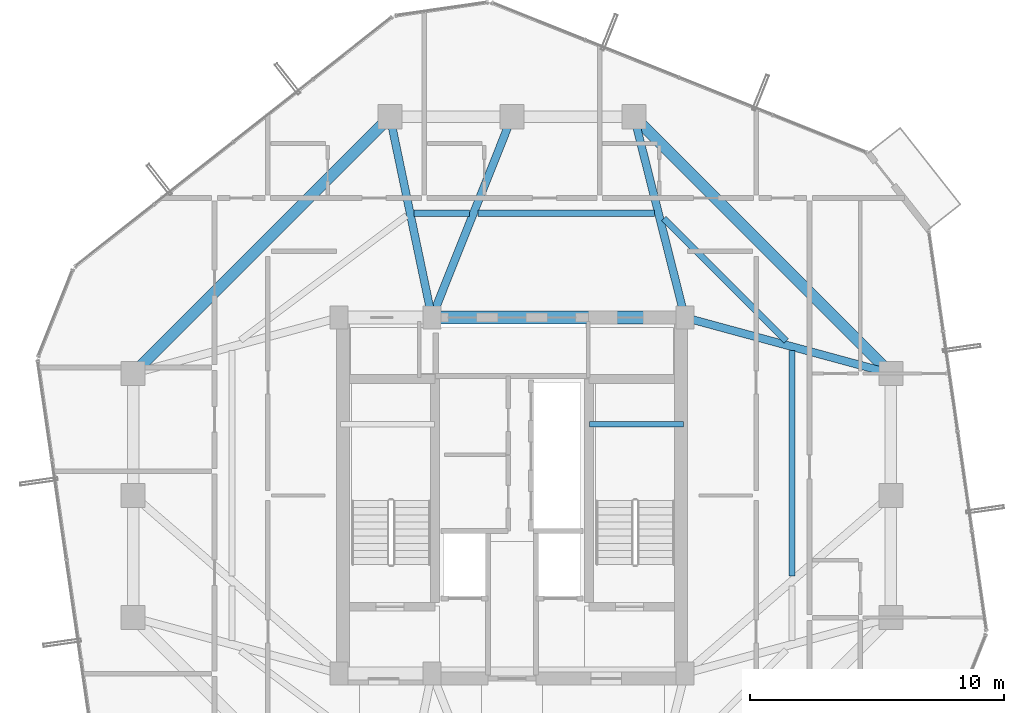
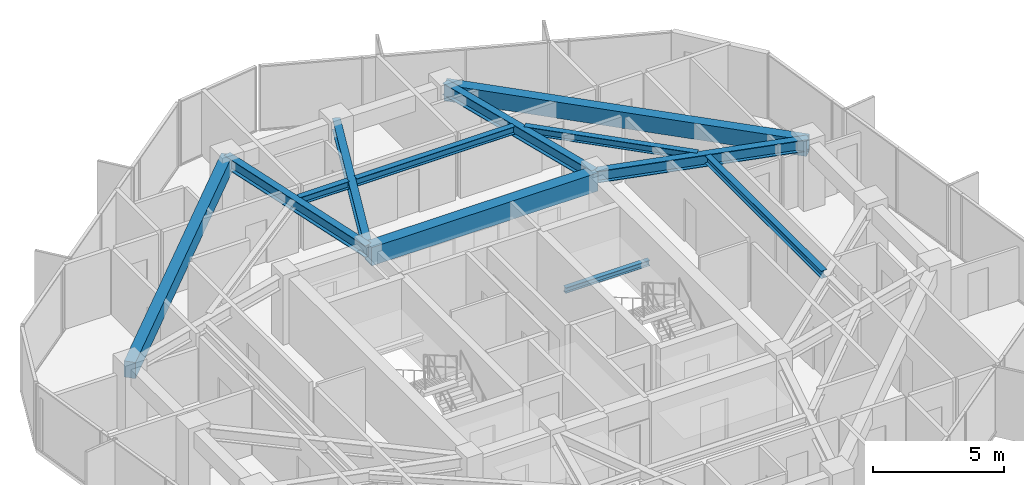
# One storey, part 15 of 31: 12 beams.
"""IFC4 building model written with IfcOpenShell, lengths in metres."""

from ifc_helpers import new_model, si_unit, direction, frame, origin, origin_2d, place, context, subcontext, project, spatial, rectangle, i_section, extrude, material, material_profile, profile_set, type_object, element, save


model = new_model("IFC4")

# Units and contexts
model_context = context("Model", 3, precision=1e-05, world=origin(), true_north=direction((0.0, 1.0)))
body_context = subcontext(model_context, "Body", "Model", "MODEL_VIEW")
ifc_project = project(units=[si_unit("LENGTHUNIT", "METRE"), si_unit("AREAUNIT", "SQUARE_METRE"), si_unit("VOLUMEUNIT", "CUBIC_METRE"), si_unit("PLANEANGLEUNIT", "RADIAN"), si_unit("MASSUNIT", "GRAM", prefix="KILO")], contexts=[model_context])

# Site, building, storey
site_placement = place(None, origin())
site = spatial("IfcSite", under=ifc_project, at=site_placement, CompositionType="ELEMENT")
building_placement = place(site_placement, origin())
building = spatial("IfcBuilding", under=site, at=building_placement, Name="Veraguas Prism Commons", CompositionType="ELEMENT")
storey_placement = place(building_placement, frame((0.0, 0.0, 178.85009765625)))
storey = spatial("IfcBuildingStorey", under=building, at=storey_placement, Name="L50", CompositionType="ELEMENT", Elevation=178.85009765625)

# Beams
ifc_material_1 = material(Name="Concrete C50/60", Category="concrete")
ifc_material_profile_1 = material_profile(ifc_material_1, rectangle(XDim=0.5, YDim=0.85009765625, at=origin_2d()), Name="RC500X850")
ifc_profile_set_1 = profile_set([ifc_material_profile_1], Name="Concrete C50/60")
beam_type_1 = type_object("IfcBeamType", Name="Core Coupling Beam RC 500x850", PredefinedType="BEAM", material=ifc_profile_set_1)
beam_1_placement = place(storey_placement, frame((20.85009765625, 31.0, 2.58984375), z_axis=(1.0, 0.0, 0.0), x_axis=(0.0, 1.0, 0.0)))
element("IfcBeam", 1, at=beam_1_placement, inside=storey, type_object=beam_type_1, Name="Core Coupling Beam L50-CRN2", PredefinedType="BEAM", context=body_context, shape_type="SweptSolid", body=[
    extrude(rectangle(XDim=0.5, YDim=0.85009765625, at=origin_2d()), origin(), (0.0, 0.0, 1.0), 9.949951171875),
])
ifc_material_profile_2 = material_profile(ifc_material_1, rectangle(XDim=0.449951171875, YDim=0.75, at=origin_2d()), Name="RC450X750")
ifc_profile_set_2 = profile_set([ifc_material_profile_2], Name="Concrete C50/60")
beam_type_2 = type_object("IfcBeamType", Name="Perimeter Spandrel Upper RC 450x750", PredefinedType="SPANDREL", material=ifc_profile_set_2)
for number, where, z_axis, x_axis, name in (
    (2, (38.89990234375, 28.800048828125, 2.639892578125), (-0.707106781187, 0.707106781187, 0.0), (-0.707106781187, -0.707106781187, 0.0), "Perimeter Spandrel Beam L50-SP03"),
    (3, (19.199951171875, 38.89990234375, 2.639892578125), (-0.707106781187, -0.707106781187, 0.0), (0.707106781187, -0.707106781187, 0.0), "Perimeter Spandrel Beam L50-SP06"),
):
    element("IfcBeam", number, at=place(storey_placement, frame(where, z_axis=z_axis, x_axis=x_axis)), inside=storey, type_object=beam_type_2, Name=name, PredefinedType="SPANDREL", context=body_context, shape_type="SweptSolid", body=[
        extrude(rectangle(XDim=0.449951171875, YDim=0.75, at=origin_2d()), origin(), (0.0, 0.0, 1.0), 14.283447265625),
    ])
ifc_material_2 = material(Name="Steel ASTM A992 Grade 50", Category="steel")
ifc_material_profile_3 = material_profile(ifc_material_2, i_section(OverallWidth=0.202880859375, OverallDepth=0.251953125, WebThickness=0.008056640625, FlangeThickness=0.013427734375, at=origin_2d()), Name="W250X58")
ifc_profile_set_3 = profile_set([ifc_material_profile_3], Name="Steel ASTM A992 Grade 50")
beam_type_3 = type_object("IfcBeamType", Name="Structural Opening Lintel W250x58", PredefinedType="LINTEL", material=ifc_profile_set_3)
beam_2_placement = place(storey_placement, frame((27.050048828125, 26.800048828125, 1.298828125), z_axis=(1.0, 0.0, 0.0), x_axis=(0.0, 1.0, 0.0)))
element("IfcBeam", 4, at=beam_2_placement, inside=storey, type_object=beam_type_3, Name="Stair ST-02 Half-Landing Support Beam L50-1", PredefinedType="LINTEL", context=body_context, shape_type="SweptSolid", body=[
    extrude(i_section(OverallWidth=0.202880859375, OverallDepth=0.251953125, WebThickness=0.008056640625, FlangeThickness=0.013427734375, at=origin_2d()), origin(), (0.0, 0.0, 1.0), 3.699951171875),
])
ifc_material_profile_4 = material_profile(ifc_material_2, i_section(OverallWidth=0.25390625, OverallDepth=0.35302734375, WebThickness=0.009521484375, FlangeThickness=0.016357421875, at=origin_2d()), Name="W360X91")
ifc_profile_set_4 = profile_set([ifc_material_profile_4], Name="Steel ASTM A992 Grade 50")
beam_type_4 = type_object("IfcBeamType", Name="Upper Floor Joist W360x91", PredefinedType="JOIST", material=ifc_profile_set_4)
beam_3_placement = place(storey_placement, frame((35.011962890625, 20.843017578125, 2.83837890625), z_axis=(0.0, 1.0, 0.0), x_axis=(-1.0, 0.0, 0.0)))
element("IfcBeam", 5, at=beam_3_placement, inside=storey, type_object=beam_type_4, Name="Composite Floor Joist L50-JS02", PredefinedType="JOIST", context=body_context, shape_type="SweptSolid", body=[
    extrude(i_section(OverallWidth=0.25390625, OverallDepth=0.35302734375, WebThickness=0.009521484375, FlangeThickness=0.016357421875, at=origin_2d()), origin(), (0.0, 0.0, 1.0), 8.85400390625),
])
beam_4_placement = place(storey_placement, frame((34.793701171875, 30.074462890625, 2.83837890625), z_axis=(-0.707124682851, 0.707088879069, 0.0), x_axis=(-0.707088879069, -0.707124682851, 0.0)))
element("IfcBeam", 6, at=beam_4_placement, inside=storey, type_object=beam_type_4, Name="Composite Floor Joist L50-JS03", PredefinedType="JOIST", context=body_context, shape_type="SweptSolid", body=[
    extrude(i_section(OverallWidth=0.25390625, OverallDepth=0.35302734375, WebThickness=0.009521484375, FlangeThickness=0.016357421875, at=origin_2d()), origin(), (0.0, 0.0, 1.0), 6.81884765625),
])
beam_5_placement = place(storey_placement, frame((29.601806640625, 35.10791015625, 2.83837890625), z_axis=(-1.0, 0.0, 0.0), x_axis=(0.0, -1.0, 0.0)))
element("IfcBeam", 7, at=beam_5_placement, inside=storey, type_object=beam_type_4, Name="Composite Floor Joist L50-JS04", PredefinedType="JOIST", context=body_context, shape_type="SweptSolid", body=[
    extrude(i_section(OverallWidth=0.25390625, OverallDepth=0.35302734375, WebThickness=0.009521484375, FlangeThickness=0.016357421875, at=origin_2d()), origin(), (0.0, 0.0, 1.0), 6.948486328125),
])
beam_6_placement = place(storey_placement, frame((22.32275390625, 35.10791015625, 2.83837890625), z_axis=(-1.0, 0.0, 0.0), x_axis=(0.0, -1.0, 0.0)))
element("IfcBeam", 8, at=beam_6_placement, inside=storey, type_object=beam_type_4, Name="Composite Floor Joist L50-JS05", PredefinedType="JOIST", context=body_context, shape_type="SweptSolid", body=[
    extrude(i_section(OverallWidth=0.25390625, OverallDepth=0.35302734375, WebThickness=0.009521484375, FlangeThickness=0.016357421875, at=origin_2d()), origin(), (0.0, 0.0, 1.0), 2.174072265625),
])
ifc_material_profile_5 = material_profile(ifc_material_2, i_section(OverallWidth=0.31103515625, OverallDepth=0.5458984375, WebThickness=0.0146484375, FlangeThickness=0.023681640625, at=origin_2d()), Name="W530X165")
ifc_profile_set_5 = profile_set([ifc_material_profile_5], Name="Steel ASTM A992 Grade 50")
beam_type_5 = type_object("IfcBeamType", Name="Zone 3 Radial Girder W530x165", PredefinedType="BEAM", material=ifc_profile_set_5)
beam_7_placement = place(storey_placement, frame((38.89990234375, 28.800048828125, 2.741943359375), z_axis=(-0.965038506703, 0.262108146725, 0.0), x_axis=(-0.262108146725, -0.965038506703, 0.0)))
element("IfcBeam", 9, at=beam_7_placement, inside=storey, type_object=beam_type_5, Name="Radial Floor Girder L50-RD03", PredefinedType="BEAM", context=body_context, shape_type="SweptSolid", body=[
    extrude(i_section(OverallWidth=0.31103515625, OverallDepth=0.5458984375, WebThickness=0.0146484375, FlangeThickness=0.023681640625, at=origin_2d()), origin(), (0.0, 0.0, 1.0), 8.393310546875),
])
beam_8_placement = place(storey_placement, frame((28.800048828125, 38.89990234375, 2.741943359375), z_axis=(0.245424718066, -0.969415652732, 0.0), x_axis=(0.969415652732, 0.245424718066, 0.0)))
element("IfcBeam", 10, at=beam_8_placement, inside=storey, type_object=beam_type_5, Name="Radial Floor Girder L50-RD04", PredefinedType="BEAM", context=body_context, shape_type="SweptSolid", body=[
    extrude(i_section(OverallWidth=0.31103515625, OverallDepth=0.5458984375, WebThickness=0.0146484375, FlangeThickness=0.023681640625, at=origin_2d()), origin(), (0.0, 0.0, 1.0), 8.149169921875),
])
beam_9_placement = place(storey_placement, frame((24.0, 38.89990234375, 2.741943359375), z_axis=(-0.370370877803, -0.928883960931, 0.0), x_axis=(0.928883960931, -0.370370877803, 0.0)))
element("IfcBeam", 11, at=beam_9_placement, inside=storey, type_object=beam_type_5, Name="Radial Floor Girder L50-RD05", PredefinedType="BEAM", context=body_context, shape_type="SweptSolid", body=[
    extrude(i_section(OverallWidth=0.31103515625, OverallDepth=0.5458984375, WebThickness=0.0146484375, FlangeThickness=0.023681640625, at=origin_2d()), origin(), (0.0, 0.0, 1.0), 8.504638671875),
])
beam_10_placement = place(storey_placement, frame((19.199951171875, 38.89990234375, 2.741943359375), z_axis=(0.204468851168, -0.978873070884, 0.0), x_axis=(0.978873070884, 0.204468851168, 0.0)))
element("IfcBeam", 12, at=beam_10_placement, inside=storey, type_object=beam_type_5, Name="Radial Floor Girder L50-RD06", PredefinedType="BEAM", context=body_context, shape_type="SweptSolid", body=[
    extrude(i_section(OverallWidth=0.31103515625, OverallDepth=0.5458984375, WebThickness=0.0146484375, FlangeThickness=0.023681640625, at=origin_2d()), origin(), (0.0, 0.0, 1.0), 8.0703125),
])

save(model, "model.ifc")
